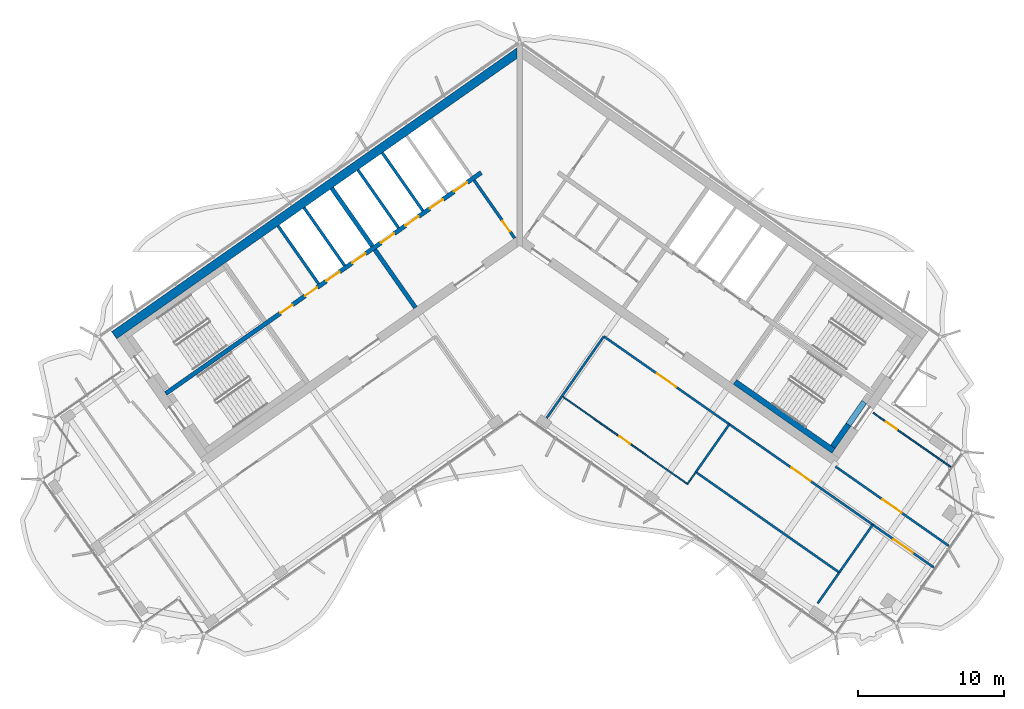
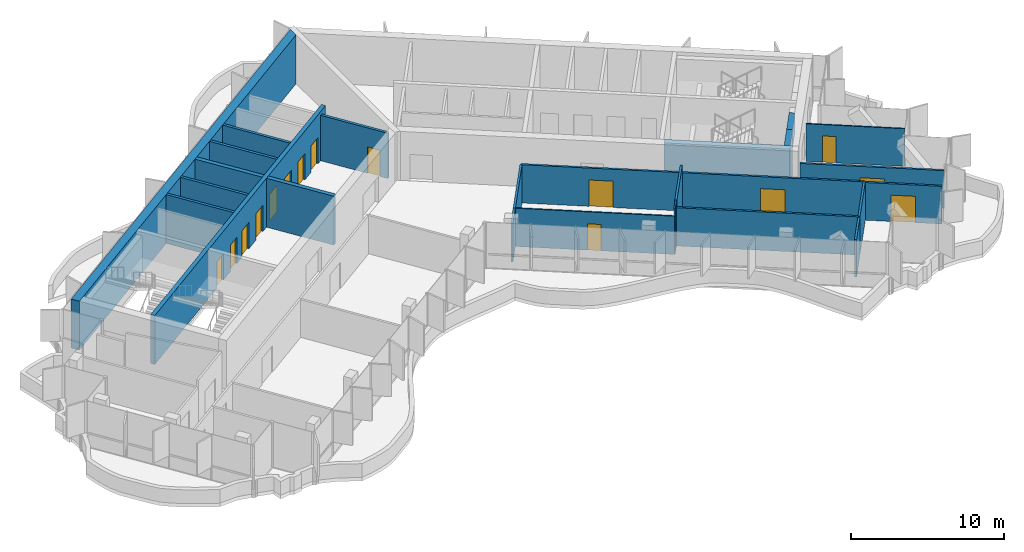
# One storey, part 10 of 18: 25 walls, 15 doors, 15 openings.
"""IFC4 building model written with IfcOpenShell, lengths in metres."""

from ifc_helpers import new_model, si_unit, direction, frame, frame_2d, origin, place, context, subcontext, project, spatial, polyline, rectangle, outline, extrude, material, layer, layer_set, type_object, element, fill, save


model = new_model("IFC4")

# Units and contexts
model_context = context("Model", 3, precision=1e-05, world=origin(), true_north=direction((0.0, 1.0)))
body_context = subcontext(model_context, "Body", "Model", "MODEL_VIEW")
ifc_project = project(units=[si_unit("LENGTHUNIT", "METRE"), si_unit("AREAUNIT", "SQUARE_METRE"), si_unit("VOLUMEUNIT", "CUBIC_METRE"), si_unit("PLANEANGLEUNIT", "RADIAN"), si_unit("MASSUNIT", "GRAM", prefix="KILO")], contexts=[model_context])

# Site, building, storey
site_placement = place(None, origin())
site = spatial("IfcSite", under=ifc_project, at=site_placement, CompositionType="ELEMENT")
building_placement = place(site_placement, origin())
building = spatial("IfcBuilding", under=site, at=building_placement, Name="Tel Ilan Convention Tower", CompositionType="ELEMENT")
storey_placement = place(building_placement, frame((0.0, 0.0, 268.300048828125)))
storey = spatial("IfcBuildingStorey", under=building, at=storey_placement, Name="L63", CompositionType="ELEMENT", Elevation=268.300048828125)

# Wall, opening, door
ifc_material_1 = material(Name="Concrete C30/37", Category="concrete")
ifc_layer_1 = layer(ifc_material_1, 0.199951171875)
ifc_layer_set_1 = layer_set([ifc_layer_1], Name="Core Service Room Wall 200 mm C30/37")
wall_type_1 = type_object("IfcWallType", Name="Core Service Room Wall 200 mm C30/37", PredefinedType="SOLIDWALL", material=ifc_layer_set_1)
wall_1_placement = place(storey_placement, frame((-0.343994140625, -0.729248046875, 0.0), z_axis=(0.0, 0.0, 1.0), x_axis=(-0.573560315113, 0.819163332265, 0.0)))
wall_1 = element("IfcWall", 1, at=wall_1_placement, inside=storey, type_object=wall_type_1, Name="L63 core wall apex-W", PredefinedType="SOLIDWALL", context=body_context, shape_type="SweptSolid", body=[
    extrude(rectangle(XDim=4.849853515625, YDim=0.199951171875, at=frame_2d((2.4248046875, 0.0))), origin(), (0.0, 0.0, 1.0), 3.619873046875),
])
opening_1_placement = place(wall_1_placement, frame((0.550048828125, 0.0, 0.0)))
opening_1 = element("IfcOpeningElement", 2, at=opening_1_placement, cuts=wall_1, Name="Opening CD4802", PredefinedType="OPENING", context=body_context, shape_type="SweptSolid", body=[
    extrude(rectangle(XDim=0.89990234375, YDim=2.10009765625, at=frame_2d((0.449951171875, 1.050048828125))), frame((0.0, 0.10986328125, 0.0), z_axis=(0.0, -1.0, 0.0), x_axis=(1.0, 0.0, 0.0)), (0.0, 0.0, 1.0), 0.219970703125),
])
ifc_material_2 = material(Name="Galvanised Steel Door Leaf", Category="steel")
door_type_1 = type_object("IfcDoorType", Name="Service Room Door 900 x 2100 FD60", OperationType="NOTDEFINED", PredefinedType="DOOR", material=ifc_material_2)
door_1_placement = place(opening_1_placement, origin())
door_1 = element("IfcDoor", 3, at=door_1_placement, inside=storey, type_object=door_type_1, Name="Telecom Room door", OperationType="SINGLE_SWING_RIGHT", OverallHeight=2.10009765625, OverallWidth=0.89990234375, PredefinedType="DOOR", context=body_context, shape_type="SweptSolid", body=[
    extrude(rectangle(XDim=0.89990234375, YDim=2.10009765625, at=frame_2d((0.449951171875, 1.050048828125))), frame((0.0, 0.02490234375, 0.0), z_axis=(0.0, -1.0, 0.0), x_axis=(1.0, 0.0, 0.0)), (0.0, 0.0, 1.0), 0.050048828125),
])
fill(opening_1, door_1)

# Walls
ifc_material_3 = material(Name="Concrete C40/50", Category="concrete")
ifc_layer_2 = layer(ifc_material_3, 0.300048828125)
ifc_layer_set_2 = layer_set([ifc_layer_2], Name="Core Shear Wall 300 mm C40/50")
wall_type_2 = type_object("IfcWallType", Name="Core Shear Wall 300 mm C40/50", PredefinedType="SHEAR", material=ifc_layer_set_2)
wall_2_placement = place(storey_placement, frame((-7.142822265625, -5.48974609375, 0.0), z_axis=(0.0, 0.0, 1.0), x_axis=(-0.573617744349, 0.819123118565, 0.0)))
element("IfcWall", 4, at=wall_2_placement, inside=storey, type_object=wall_type_2, Name="L63 core wall W-cross1-1", PredefinedType="SHEAR", context=body_context, shape_type="SweptSolid", body=[
    extrude(outline(polyline([(4.85009765625, 0.14990234375), (0.0, 0.150146484375), (0.0, -0.14990234375), (4.85009765625, -0.150146484375), (4.85009765625, 0.14990234375)])), origin(), (0.0, 0.0, 1.0), 3.89990234375),
])
wall_3_placement = place(storey_placement, frame((-10.096923828125, -1.271240234375, 0.0), z_axis=(0.0, 0.0, 1.0), x_axis=(-0.573560315113, 0.819163332265, 0.0)))
element("IfcWall", 5, at=wall_3_placement, inside=storey, type_object=wall_type_2, Name="L63 core wall W-cross1-2", PredefinedType="SHEAR", context=body_context, shape_type="SweptSolid", body=[
    extrude(outline(polyline([(4.849853515625, -0.14990234375), (4.849853515625, 0.150146484375), (0.0, 0.14990234375), (0.0, -0.150146484375), (4.849853515625, -0.14990234375)])), origin(), (0.0, 0.0, 1.0), 3.89990234375),
])

# Wall, openings, doors
wall_4_placement = place(storey_placement, frame((-2.638427734375, 3.76806640625, 0.0), z_axis=(0.0, 0.0, 1.0), x_axis=(-0.819155014212, -0.573572194837, 0.0)))
wall_4 = element("IfcWall", 6, at=wall_4_placement, inside=storey, type_object=wall_type_2, Name="L63 core wall W-spine", PredefinedType="SHEAR", context=body_context, shape_type="SweptSolid", body=[
    extrude(outline(polyline([(26.39990234375, 0.150146484375), (0.0, 0.14990234375), (0.0, -0.150146484375), (26.39990234375, -0.14990234375), (26.39990234375, 0.150146484375)])), origin(), (0.0, 0.0, 1.0), 3.89990234375),
])
opening_2_placement = place(wall_4_placement, frame((1.168701171875, 0.0, 0.0)))
opening_2 = element("IfcOpeningElement", 7, at=opening_2_placement, cuts=wall_4, Name="Opening LD4804", PredefinedType="OPENING", context=body_context, shape_type="SweptSolid", body=[
    extrude(rectangle(XDim=1.10009765625, YDim=2.10009765625, at=frame_2d((0.550048828125, 1.050048828125))), frame((0.0, 0.159912109375, 0.0), z_axis=(0.0, -1.0, 0.0), x_axis=(1.0, 0.0, 0.0)), (0.0, 0.0, 1.0), 0.320068359375),
])
opening_3_placement = place(wall_4_placement, frame((3.206298828125, 0.0, 0.0)))
opening_3 = element("IfcOpeningElement", 8, at=opening_3_placement, cuts=wall_4, Name="Opening LD4805", PredefinedType="OPENING", context=body_context, shape_type="SweptSolid", body=[
    extrude(rectangle(XDim=1.10009765625, YDim=2.10009765625, at=frame_2d((0.550048828125, 1.050048828125))), frame((0.0, 0.159912109375, 0.0), z_axis=(0.0, -1.0, 0.0), x_axis=(1.0, 0.0, 0.0)), (0.0, 0.0, 1.0), 0.320068359375),
])
opening_4_placement = place(wall_4_placement, frame((5.24365234375, 0.0, 0.0)))
opening_4 = element("IfcOpeningElement", 9, at=opening_4_placement, cuts=wall_4, Name="Opening LD4806", PredefinedType="OPENING", context=body_context, shape_type="SweptSolid", body=[
    extrude(rectangle(XDim=1.10009765625, YDim=2.10009765625, at=frame_2d((0.550048828125, 1.050048828125))), frame((0.0, 0.159912109375, 0.0), z_axis=(0.0, -1.0, 0.0), x_axis=(1.0, 0.0, 0.0)), (0.0, 0.0, 1.0), 0.320068359375),
])
opening_5_placement = place(wall_4_placement, frame((7.28125, 0.0, 0.0)))
opening_5 = element("IfcOpeningElement", 10, at=opening_5_placement, cuts=wall_4, Name="Opening LD4807", PredefinedType="OPENING", context=body_context, shape_type="SweptSolid", body=[
    extrude(rectangle(XDim=1.10009765625, YDim=2.10009765625, at=frame_2d((0.550048828125, 1.050048828125))), frame((0.0, 0.159912109375, 0.0), z_axis=(0.0, -1.0, 0.0), x_axis=(1.0, 0.0, 0.0)), (0.0, 0.0, 1.0), 0.320068359375),
])
opening_6_placement = place(wall_4_placement, frame((9.6875, 0.0, 0.0)))
opening_6 = element("IfcOpeningElement", 11, at=opening_6_placement, cuts=wall_4, Name="Opening LD4808", PredefinedType="OPENING", context=body_context, shape_type="SweptSolid", body=[
    extrude(rectangle(XDim=1.10009765625, YDim=2.10009765625, at=frame_2d((0.550048828125, 1.050048828125))), frame((0.0, 0.159912109375, 0.0), z_axis=(0.0, -1.0, 0.0), x_axis=(1.0, 0.0, 0.0)), (0.0, 0.0, 1.0), 0.320068359375),
])
opening_7_placement = place(wall_4_placement, frame((11.862548828125, 0.0, 0.0)))
opening_7 = element("IfcOpeningElement", 12, at=opening_7_placement, cuts=wall_4, Name="Opening LD4809", PredefinedType="OPENING", context=body_context, shape_type="SweptSolid", body=[
    extrude(rectangle(XDim=1.10009765625, YDim=2.10009765625, at=frame_2d((0.550048828125, 1.050048828125))), frame((0.0, 0.159912109375, 0.0), z_axis=(0.0, -1.0, 0.0), x_axis=(1.0, 0.0, 0.0)), (0.0, 0.0, 1.0), 0.320068359375),
])
opening_8_placement = place(wall_4_placement, frame((13.722412109375, 0.0, 0.0)))
opening_8 = element("IfcOpeningElement", 13, at=opening_8_placement, cuts=wall_4, Name="Opening CD4809", PredefinedType="OPENING", context=body_context, shape_type="SweptSolid", body=[
    extrude(rectangle(XDim=1.0, YDim=2.10009765625, at=frame_2d((0.5, 1.050048828125))), frame((0.0, 0.159912109375, 0.0), z_axis=(0.0, -1.0, 0.0), x_axis=(1.0, 0.0, 0.0)), (0.0, 0.0, 1.0), 0.320068359375),
])
opening_9_placement = place(wall_4_placement, frame((15.797607421875, 0.0, 0.0)))
opening_9 = element("IfcOpeningElement", 14, at=opening_9_placement, cuts=wall_4, Name="Opening CD4810", PredefinedType="OPENING", context=body_context, shape_type="SweptSolid", body=[
    extrude(rectangle(XDim=1.0, YDim=2.10009765625, at=frame_2d((0.5, 1.050048828125))), frame((0.0, 0.159912109375, 0.0), z_axis=(0.0, -1.0, 0.0), x_axis=(1.0, 0.0, 0.0)), (0.0, 0.0, 1.0), 0.320068359375),
])
ifc_material_4 = material(Name="Stainless Steel Sliding Door Leaf", Category="steel")
door_type_2 = type_object("IfcDoorType", Name="Lift Landing Door 1100 x 2100 FD120", OperationType="NOTDEFINED", PredefinedType="DOOR", material=ifc_material_4)
door_2_placement = place(opening_2_placement, origin())
door_2 = element("IfcDoor", 15, at=door_2_placement, inside=storey, type_object=door_type_2, Name="Lift HR1 landing door", OperationType="SLIDING_TO_LEFT", OverallHeight=2.10009765625, OverallWidth=1.10009765625, PredefinedType="DOOR", context=body_context, shape_type="SweptSolid", body=[
    extrude(rectangle(XDim=1.10009765625, YDim=2.10009765625, at=frame_2d((0.550048828125, 1.050048828125))), frame((0.0, 0.02490234375, 0.0), z_axis=(0.0, -1.0, 0.0), x_axis=(1.0, 0.0, 0.0)), (0.0, 0.0, 1.0), 0.050048828125),
])
fill(opening_2, door_2)
door_3_placement = place(opening_3_placement, origin())
door_3 = element("IfcDoor", 16, at=door_3_placement, inside=storey, type_object=door_type_2, Name="Lift HR2 landing door", OperationType="SLIDING_TO_RIGHT", OverallHeight=2.10009765625, OverallWidth=1.10009765625, PredefinedType="DOOR", context=body_context, shape_type="SweptSolid", body=[
    extrude(rectangle(XDim=1.10009765625, YDim=2.10009765625, at=frame_2d((0.550048828125, 1.050048828125))), frame((0.0, 0.02490234375, 0.0), z_axis=(0.0, -1.0, 0.0), x_axis=(1.0, 0.0, 0.0)), (0.0, 0.0, 1.0), 0.050048828125),
])
fill(opening_3, door_3)
door_4_placement = place(opening_4_placement, origin())
door_4 = element("IfcDoor", 17, at=door_4_placement, inside=storey, type_object=door_type_2, Name="Lift HR3 landing door", OperationType="SLIDING_TO_LEFT", OverallHeight=2.10009765625, OverallWidth=1.10009765625, PredefinedType="DOOR", context=body_context, shape_type="SweptSolid", body=[
    extrude(rectangle(XDim=1.10009765625, YDim=2.10009765625, at=frame_2d((0.550048828125, 1.050048828125))), frame((0.0, 0.02490234375, 0.0), z_axis=(0.0, -1.0, 0.0), x_axis=(1.0, 0.0, 0.0)), (0.0, 0.0, 1.0), 0.050048828125),
])
fill(opening_4, door_4)
door_5_placement = place(opening_5_placement, origin())
door_5 = element("IfcDoor", 18, at=door_5_placement, inside=storey, type_object=door_type_2, Name="Lift HR4 landing door", OperationType="SLIDING_TO_RIGHT", OverallHeight=2.10009765625, OverallWidth=1.10009765625, PredefinedType="DOOR", context=body_context, shape_type="SweptSolid", body=[
    extrude(rectangle(XDim=1.10009765625, YDim=2.10009765625, at=frame_2d((0.550048828125, 1.050048828125))), frame((0.0, 0.02490234375, 0.0), z_axis=(0.0, -1.0, 0.0), x_axis=(1.0, 0.0, 0.0)), (0.0, 0.0, 1.0), 0.050048828125),
])
fill(opening_5, door_5)
door_6_placement = place(opening_6_placement, origin())
door_6 = element("IfcDoor", 19, at=door_6_placement, inside=storey, type_object=door_type_2, Name="Lift HR5 landing door", OperationType="SLIDING_TO_LEFT", OverallHeight=2.10009765625, OverallWidth=1.10009765625, PredefinedType="DOOR", context=body_context, shape_type="SweptSolid", body=[
    extrude(rectangle(XDim=1.10009765625, YDim=2.10009765625, at=frame_2d((0.550048828125, 1.050048828125))), frame((0.0, 0.02490234375, 0.0), z_axis=(0.0, -1.0, 0.0), x_axis=(1.0, 0.0, 0.0)), (0.0, 0.0, 1.0), 0.050048828125),
])
fill(opening_6, door_6)
door_7_placement = place(opening_7_placement, origin())
door_7 = element("IfcDoor", 20, at=door_7_placement, inside=storey, type_object=door_type_2, Name="Lift HR6 landing door", OperationType="SLIDING_TO_RIGHT", OverallHeight=2.10009765625, OverallWidth=1.10009765625, PredefinedType="DOOR", context=body_context, shape_type="SweptSolid", body=[
    extrude(rectangle(XDim=1.10009765625, YDim=2.10009765625, at=frame_2d((0.550048828125, 1.050048828125))), frame((0.0, 0.02490234375, 0.0), z_axis=(0.0, -1.0, 0.0), x_axis=(1.0, 0.0, 0.0)), (0.0, 0.0, 1.0), 0.050048828125),
])
fill(opening_7, door_7)
ifc_material_5 = material(Name="Galvanised Steel Door Leaf", Category="steel")
door_type_3 = type_object("IfcDoorType", Name="Service Room Door 1000 x 2100 FD60", OperationType="NOTDEFINED", PredefinedType="DOOR", material=ifc_material_5)
door_8_placement = place(opening_8_placement, origin())
door_8 = element("IfcDoor", 21, at=door_8_placement, inside=storey, type_object=door_type_3, Name="Plant Room door", OperationType="SINGLE_SWING_RIGHT", OverallHeight=2.10009765625, OverallWidth=1.0, PredefinedType="DOOR", context=body_context, shape_type="SweptSolid", body=[
    extrude(rectangle(XDim=1.0, YDim=2.10009765625, at=frame_2d((0.5, 1.050048828125))), frame((0.0, 0.02490234375, 0.0), z_axis=(0.0, -1.0, 0.0), x_axis=(1.0, 0.0, 0.0)), (0.0, 0.0, 1.0), 0.050048828125),
])
fill(opening_8, door_8)
door_9_placement = place(opening_9_placement, origin())
door_9 = element("IfcDoor", 22, at=door_9_placement, inside=storey, type_object=door_type_3, Name="Plant Room door", OperationType="SINGLE_SWING_RIGHT", OverallHeight=2.10009765625, OverallWidth=1.0, PredefinedType="DOOR", context=body_context, shape_type="SweptSolid", body=[
    extrude(rectangle(XDim=1.0, YDim=2.10009765625, at=frame_2d((0.5, 1.050048828125))), frame((0.0, 0.02490234375, 0.0), z_axis=(0.0, -1.0, 0.0), x_axis=(1.0, 0.0, 0.0)), (0.0, 0.0, 1.0), 0.050048828125),
])
fill(opening_9, door_9)

# Wall
ifc_material_6 = material(Name="Concrete C40/50", Category="concrete")
ifc_layer_3 = layer(ifc_material_6, 0.60009765625)
ifc_layer_set_3 = layer_set([ifc_layer_3], Name="Core Shear Wall 600 mm C40/50")
wall_type_3 = type_object("IfcWallType", Name="Core Shear Wall 600 mm C40/50", PredefinedType="SHEAR", material=ifc_layer_set_3)
wall_5_placement = place(storey_placement, frame((-0.02783203125, 12.066162109375, 0.0), z_axis=(0.0, 0.0, 1.0), x_axis=(-0.819151382952, -0.573577380837, 0.0)))
element("IfcWall", 23, at=wall_5_placement, inside=storey, type_object=wall_type_3, Name="L63 core wall W-back", PredefinedType="SHEAR", context=body_context, shape_type="SweptSolid", body=[
    extrude(outline(polyline([(33.89794921875, 0.300048828125), (0.420166015625, 0.300048828125), (0.0, -0.300048828125), (33.898193359375, -0.300048828125), (33.89794921875, 0.300048828125)])), origin(), (0.0, 0.0, 1.0), 3.89990234375),
])

# Wall, opening, door
ifc_material_7 = material(Name="Plasterboard on Steel Studs", Category="steel")
ifc_layer_4 = layer(ifc_material_7, 0.14990234375)
ifc_layer_set_4 = layer_set([ifc_layer_4], Name="Fire-rated Partition 150 EI 60")
wall_type_4 = type_object("IfcWallType", Name="Fire-rated Partition 150 EI 60", PredefinedType="PARTITIONING", material=ifc_layer_set_4)
wall_6_placement = place(storey_placement, frame((21.641845703125, -16.37451171875, 0.0), z_axis=(0.0, 0.0, 1.0), x_axis=(0.819154480923, -0.573572956461, 0.0)))
wall_6 = element("IfcWall", 24, at=wall_6_placement, inside=storey, type_object=wall_type_4, Name="Partition 001", PredefinedType="PARTITIONING", context=body_context, shape_type="SweptSolid", body=[
    extrude(rectangle(XDim=9.47998046875, YDim=0.14990234375, at=frame_2d((4.739990234375, 0.0))), origin(), (0.0, 0.0, 1.0), 3.0),
])
opening_10_placement = place(wall_6_placement, frame((3.93994140625, 0.0, 0.0)))
opening_10 = element("IfcOpeningElement", 25, at=opening_10_placement, cuts=wall_6, Name="Opening L63-011", PredefinedType="OPENING", context=body_context, shape_type="SweptSolid", body=[
    extrude(rectangle(XDim=1.60009765625, YDim=2.10009765625, at=frame_2d((0.800048828125, 1.050048828125))), frame((0.0, 0.0849609375, 0.0), z_axis=(0.0, -1.0, 0.0), x_axis=(1.0, 0.0, 0.0)), (0.0, 0.0, 1.0), 0.169921875),
])
ifc_material_8 = material(Name="Timber Door Leaf in Steel Frame", Category="steel")
door_type_4 = type_object("IfcDoorType", Name="Tenant Suite Entrance Fire Door 1600x2100", OperationType="NOTDEFINED", PredefinedType="DOOR", material=ifc_material_8)
door_10_placement = place(opening_10_placement, origin())
door_10 = element("IfcDoor", 26, at=door_10_placement, inside=storey, type_object=door_type_4, Name="Door L63-011", OperationType="DOUBLE_DOOR_SINGLE_SWING", OverallHeight=2.10009765625, OverallWidth=1.60009765625, PredefinedType="DOOR", context=body_context, shape_type="SweptSolid", body=[
    extrude(rectangle(XDim=1.60009765625, YDim=2.10009765625, at=frame_2d((0.800048828125, 1.050048828125))), frame((0.0, 0.02490234375, 0.0), z_axis=(0.0, -1.0, 0.0), x_axis=(1.0, 0.0, 0.0)), (0.0, 0.0, 1.0), 0.050048828125),
])
fill(opening_10, door_10)

wall_7_placement = place(storey_placement, frame((14.369140625, -13.4794921875, 0.0), z_axis=(0.0, 0.0, 1.0), x_axis=(-0.819154371039, 0.573573113393, 0.0)))
wall_7 = element("IfcWall", 27, at=wall_7_placement, inside=storey, type_object=wall_type_4, Name="Partition 002", PredefinedType="PARTITIONING", context=body_context, shape_type="SweptSolid", body=[
    extrude(rectangle(XDim=10.501953125, YDim=0.14990234375, at=frame_2d((5.2509765625, 0.0))), origin(), (0.0, 0.0, 1.0), 3.050048828125),
])
opening_11_placement = place(wall_7_placement, frame((4.450927734375, 0.0, 0.0)))
opening_11 = element("IfcOpeningElement", 28, at=opening_11_placement, cuts=wall_7, Name="Opening L63-007", PredefinedType="OPENING", context=body_context, shape_type="SweptSolid", body=[
    extrude(rectangle(XDim=1.60009765625, YDim=2.10009765625, at=frame_2d((0.800048828125, 1.050048828125))), frame((0.0, 0.0849609375, 0.0), z_axis=(0.0, -1.0, 0.0), x_axis=(1.0, 0.0, 0.0)), (0.0, 0.0, 1.0), 0.169921875),
])
door_11_placement = place(opening_11_placement, origin())
door_11 = element("IfcDoor", 29, at=door_11_placement, inside=storey, type_object=door_type_4, Name="Door L63-007", OperationType="DOUBLE_DOOR_SINGLE_SWING", OverallHeight=2.10009765625, OverallWidth=1.60009765625, PredefinedType="DOOR", context=body_context, shape_type="SweptSolid", body=[
    extrude(rectangle(XDim=1.60009765625, YDim=2.10009765625, at=frame_2d((0.800048828125, 1.050048828125))), frame((0.0, 0.02490234375, 0.0), z_axis=(0.0, -1.0, 0.0), x_axis=(1.0, 0.0, 0.0)), (0.0, 0.0, 1.0), 0.050048828125),
])
fill(opening_11, door_11)

wall_8_placement = place(storey_placement, frame((24.198974609375, -20.3623046875, 0.0), z_axis=(0.0, 0.0, 1.0), x_axis=(-0.819164075089, 0.573559254204, 0.0)))
wall_8 = element("IfcWall", 30, at=wall_8_placement, inside=storey, type_object=wall_type_4, Name="Partition 003", PredefinedType="PARTITIONING", context=body_context, shape_type="SweptSolid", body=[
    extrude(rectangle(XDim=12.00390625, YDim=0.14990234375, at=frame_2d((6.001953125, 0.0))), origin(), (0.0, 0.0, 1.0), 3.050048828125),
])
opening_12_placement = place(wall_8_placement, frame((5.201904296875, 0.0, 0.0)))
opening_12 = element("IfcOpeningElement", 31, at=opening_12_placement, cuts=wall_8, Name="Opening L63-009", PredefinedType="OPENING", context=body_context, shape_type="SweptSolid", body=[
    extrude(rectangle(XDim=1.60009765625, YDim=2.10009765625, at=frame_2d((0.800048828125, 1.050048828125))), frame((0.0, 0.0849609375, 0.0), z_axis=(0.0, -1.0, 0.0), x_axis=(1.0, 0.0, 0.0)), (0.0, 0.0, 1.0), 0.169921875),
])
door_12_placement = place(opening_12_placement, origin())
door_12 = element("IfcDoor", 32, at=door_12_placement, inside=storey, type_object=door_type_4, Name="Door L63-009", OperationType="DOUBLE_DOOR_SINGLE_SWING", OverallHeight=2.10009765625, OverallWidth=1.60009765625, PredefinedType="DOOR", context=body_context, shape_type="SweptSolid", body=[
    extrude(rectangle(XDim=1.60009765625, YDim=2.10009765625, at=frame_2d((0.800048828125, 1.050048828125))), frame((0.0, 0.02490234375, 0.0), z_axis=(0.0, -1.0, 0.0), x_axis=(1.0, 0.0, 0.0)), (0.0, 0.0, 1.0), 0.050048828125),
])
fill(opening_12, door_12)

wall_9_placement = place(storey_placement, frame((28.375, -23.28662109375, 0.0), z_axis=(0.0, 0.0, 1.0), x_axis=(-0.819148735933, 0.573581161144, 0.0)))
wall_9 = element("IfcWall", 33, at=wall_9_placement, inside=storey, type_object=wall_type_4, Name="Partition 004", PredefinedType="PARTITIONING", context=body_context, shape_type="SweptSolid", body=[
    extrude(rectangle(XDim=5.102294921875, YDim=0.14990234375, at=frame_2d((2.55126953125, 0.0))), origin(), (0.0, 0.0, 1.0), 3.0),
])
opening_13_placement = place(wall_9_placement, frame((1.7509765625, 0.0, 0.0)))
opening_13 = element("IfcOpeningElement", 34, at=opening_13_placement, cuts=wall_9, Name="Opening L63-010", PredefinedType="OPENING", context=body_context, shape_type="SweptSolid", body=[
    extrude(rectangle(XDim=1.60009765625, YDim=2.10009765625, at=frame_2d((0.800048828125, 1.050048828125))), frame((0.0, 0.0849609375, 0.0), z_axis=(0.0, -1.0, 0.0), x_axis=(1.0, 0.0, 0.0)), (0.0, 0.0, 1.0), 0.169921875),
])
door_13_placement = place(opening_13_placement, origin())
door_13 = element("IfcDoor", 35, at=door_13_placement, inside=storey, type_object=door_type_4, Name="Door L63-010", OperationType="DOUBLE_DOOR_SINGLE_SWING", OverallHeight=2.10009765625, OverallWidth=1.60009765625, PredefinedType="DOOR", context=body_context, shape_type="SweptSolid", body=[
    extrude(rectangle(XDim=1.60009765625, YDim=2.10009765625, at=frame_2d((0.800048828125, 1.050048828125))), frame((0.0, 0.02490234375, 0.0), z_axis=(0.0, -1.0, 0.0), x_axis=(1.0, 0.0, 0.0)), (0.0, 0.0, 1.0), 0.050048828125),
])
fill(opening_13, door_13)

# Walls
wall_10_placement = place(storey_placement, frame((12.072509765625, -16.755859375, 0.0), z_axis=(0.0, 0.0, 1.0), x_axis=(0.819156404271, -0.573570209602, 0.0)))
element("IfcWall", 36, at=wall_10_placement, inside=storey, type_object=wall_type_4, Name="Partition 014", PredefinedType="PARTITIONING", context=body_context, shape_type="SweptSolid", body=[
    extrude(rectangle(XDim=12.0, YDim=0.14990234375, at=frame_2d((6.0, 0.0))), origin(), (0.0, 0.0, 1.0), 3.050048828125),
])
wall_11_placement = place(storey_placement, frame((21.90234375, -23.638671875, 0.0), z_axis=(0.0, 0.0, 1.0), x_axis=(-0.573601610628, -0.819134416494, 0.0)))
element("IfcWall", 37, at=wall_11_placement, inside=storey, type_object=wall_type_4, Name="Partition 015", PredefinedType="PARTITIONING", context=body_context, shape_type="SweptSolid", body=[
    extrude(rectangle(XDim=2.588134765625, YDim=0.14990234375, at=frame_2d((1.2939453125, 0.0))), origin(), (0.0, 0.0, 1.0), 3.0),
])
wall_12_placement = place(storey_placement, frame((1.848876953125, -13.050537109375, 0.0), z_axis=(0.0, 0.0, 1.0), x_axis=(0.573623601139, 0.819119017125, 0.0)))
element("IfcWall", 38, at=wall_12_placement, inside=storey, type_object=wall_type_4, Name="Partition 016", PredefinedType="PARTITIONING", context=body_context, shape_type="SweptSolid", body=[
    extrude(rectangle(XDim=1.828857421875, YDim=0.14990234375, at=frame_2d((0.91455078125, 0.0))), origin(), (0.0, 0.0, 1.0), 3.050048828125),
])
wall_13_placement = place(storey_placement, frame((14.367431640625, -13.478515625, 0.0), z_axis=(0.0, 0.0, 1.0), x_axis=(-0.573589265117, -0.819143061341, 0.0)))
element("IfcWall", 39, at=wall_13_placement, inside=storey, type_object=wall_type_4, Name="Partition 017", PredefinedType="PARTITIONING", context=body_context, shape_type="SweptSolid", body=[
    extrude(rectangle(XDim=4.001953125, YDim=0.14990234375, at=frame_2d((2.0009765625, 0.0))), origin(), (0.0, 0.0, 1.0), 3.619873046875),
])
wall_14_placement = place(storey_placement, frame((2.8984375, -11.551513671875, 0.0), z_axis=(0.0, 0.0, 1.0), x_axis=(0.573586866468, 0.819144740944, 0.0)))
element("IfcWall", 40, at=wall_14_placement, inside=storey, type_object=wall_type_4, Name="Partition 018", PredefinedType="PARTITIONING", context=body_context, shape_type="SweptSolid", body=[
    extrude(rectangle(XDim=5.0, YDim=0.14990234375, at=frame_2d((2.5, 0.0))), origin(), (0.0, 0.0, 1.0), 3.050048828125),
])
wall_15_placement = place(storey_placement, frame((24.197265625, -20.361328125, 0.0), z_axis=(0.0, 0.0, 1.0), x_axis=(-0.573556557423, -0.819165963305, 0.0)))
element("IfcWall", 41, at=wall_15_placement, inside=storey, type_object=wall_type_4, Name="Partition 019", PredefinedType="PARTITIONING", context=body_context, shape_type="SweptSolid", body=[
    extrude(rectangle(XDim=4.0, YDim=0.14990234375, at=frame_2d((2.0, 0.0))), origin(), (0.0, 0.0, 1.0), 3.050048828125),
])
ifc_material_9 = material(Name="Concrete C30/37", Category="concrete")
ifc_layer_5 = layer(ifc_material_9, 0.199951171875)
ifc_layer_set_5 = layer_set([ifc_layer_5], Name="Lift Shaft Wall 200 mm C30/37")
wall_type_5 = type_object("IfcWallType", Name="Lift Shaft Wall 200 mm C30/37", PredefinedType="SOLIDWALL", material=ifc_layer_set_5)
wall_16_placement = place(storey_placement, frame((-6.635986328125, 1.152099609375, 0.0), z_axis=(0.0, 0.0, 1.0), x_axis=(-0.573560315113, 0.819163332265, 0.0)))
element("IfcWall", 42, at=wall_16_placement, inside=storey, type_object=wall_type_5, Name="L63 core wall bank-W1-p1", PredefinedType="SOLIDWALL", context=body_context, shape_type="SweptSolid", body=[
    extrude(rectangle(XDim=4.849853515625, YDim=0.199951171875, at=frame_2d((2.4248046875, 0.0))), origin(), (0.0, 0.0, 1.0), 3.89990234375),
])
wall_17_placement = place(storey_placement, frame((-8.304931640625, -0.0166015625, 0.0), z_axis=(0.0, 0.0, 1.0), x_axis=(-0.573594092424, 0.81913968109, 0.0)))
element("IfcWall", 43, at=wall_17_placement, inside=storey, type_object=wall_type_5, Name="L63 core wall bank-W1-p2", PredefinedType="SOLIDWALL", context=body_context, shape_type="SweptSolid", body=[
    extrude(rectangle(XDim=4.85009765625, YDim=0.199951171875, at=frame_2d((2.425048828125, 0.0))), origin(), (0.0, 0.0, 1.0), 3.89990234375),
])
wall_18_placement = place(storey_placement, frame((-12.00146484375, -2.604736328125, 0.0), z_axis=(0.0, 0.0, 1.0), x_axis=(-0.573560315113, 0.819163332265, 0.0)))
element("IfcWall", 44, at=wall_18_placement, inside=storey, type_object=wall_type_5, Name="L63 core wall bank-W2-p0", PredefinedType="SOLIDWALL", context=body_context, shape_type="SweptSolid", body=[
    extrude(rectangle(XDim=4.849853515625, YDim=0.199951171875, at=frame_2d((2.4248046875, 0.0))), origin(), (0.0, 0.0, 1.0), 3.89990234375),
])
wall_19_placement = place(storey_placement, frame((-13.782958984375, -3.852294921875, 0.0), z_axis=(0.0, 0.0, 1.0), x_axis=(-0.573594092424, 0.81913968109, 0.0)))
element("IfcWall", 45, at=wall_19_placement, inside=storey, type_object=wall_type_5, Name="L63 core wall bank-W2-p1", PredefinedType="SOLIDWALL", context=body_context, shape_type="SweptSolid", body=[
    extrude(rectangle(XDim=4.85009765625, YDim=0.199951171875, at=frame_2d((2.425048828125, 0.0))), origin(), (0.0, 0.0, 1.0), 3.89990234375),
])

# Wall, opening, door
ifc_material_10 = material(Name="Plasterboard on Steel Studs", Category="steel")
ifc_layer_6 = layer(ifc_material_10, 0.10009765625)
ifc_layer_set_6 = layer_set([ifc_layer_6], Name="Plasterboard Partition 100")
wall_type_6 = type_object("IfcWallType", Name="Plasterboard Partition 100", PredefinedType="PARTITIONING", material=ifc_layer_set_6)
wall_20_placement = place(storey_placement, frame((24.223388671875, -12.6875, 0.0), z_axis=(0.0, 0.0, 1.0), x_axis=(0.819150491754, -0.573578653595, 0.0)))
wall_20 = element("IfcWall", 46, at=wall_20_placement, inside=storey, type_object=wall_type_6, Name="Partition 011", PredefinedType="PARTITIONING", context=body_context, shape_type="SweptSolid", body=[
    extrude(rectangle(XDim=6.47998046875, YDim=0.10009765625, at=frame_2d((3.239990234375, 0.0))), origin(), (0.0, 0.0, 1.0), 3.0),
])
opening_14_placement = place(wall_20_placement, frame((1.090087890625, 0.0, 0.0)))
opening_14 = element("IfcOpeningElement", 47, at=opening_14_placement, cuts=wall_20, Name="Opening L63-012", PredefinedType="OPENING", context=body_context, shape_type="SweptSolid", body=[
    extrude(rectangle(XDim=0.89990234375, YDim=2.10009765625, at=frame_2d((0.449951171875, 1.050048828125))), frame((0.0, 0.06005859375, 0.0), z_axis=(0.0, -1.0, 0.0), x_axis=(1.0, 0.0, 0.0)), (0.0, 0.0, 1.0), 0.1201171875),
])
ifc_material_11 = material(Name="Timber Door Leaf in Steel Frame", Category="steel")
door_type_5 = type_object("IfcDoorType", Name="Room Timber Door 900x2100", OperationType="NOTDEFINED", PredefinedType="DOOR", material=ifc_material_11)
door_14_placement = place(opening_14_placement, origin())
door_14 = element("IfcDoor", 48, at=door_14_placement, inside=storey, type_object=door_type_5, Name="Door L63-012", OperationType="SINGLE_SWING_LEFT", OverallHeight=2.10009765625, OverallWidth=0.89990234375, PredefinedType="DOOR", context=body_context, shape_type="SweptSolid", body=[
    extrude(rectangle(XDim=0.89990234375, YDim=2.10009765625, at=frame_2d((0.449951171875, 1.050048828125))), frame((0.0, 0.02490234375, 0.0), z_axis=(0.0, -1.0, 0.0), x_axis=(1.0, 0.0, 0.0)), (0.0, 0.0, 1.0), 0.050048828125),
])
fill(opening_14, door_14)

# Wall
wall_21_placement = place(storey_placement, frame((12.072509765625, -16.755859375, 0.0), z_axis=(0.0, 0.0, 1.0), x_axis=(-0.573544276158, -0.819174562158, 0.0)))
element("IfcWall", 49, at=wall_21_placement, inside=storey, type_object=wall_type_6, Name="Partition 012", PredefinedType="PARTITIONING", context=body_context, shape_type="SweptSolid", body=[
    extrude(rectangle(XDim=1.0, YDim=0.10009765625, at=frame_2d((0.5, 0.0))), origin(), (0.0, 0.0, 1.0), 3.619873046875),
])

# Wall, opening, door
wall_22_placement = place(storey_placement, frame((11.4990234375, -17.574951171875, 0.0), z_axis=(0.0, 0.0, 1.0), x_axis=(-0.819155448096, 0.573571575181, 0.0)))
wall_22 = element("IfcWall", 50, at=wall_22_placement, inside=storey, type_object=wall_type_6, Name="Partition 013", PredefinedType="PARTITIONING", context=body_context, shape_type="SweptSolid", body=[
    extrude(rectangle(XDim=10.5, YDim=0.10009765625, at=frame_2d((5.25, 0.0))), origin(), (0.0, 0.0, 1.0), 3.050048828125),
])
opening_15_placement = place(wall_22_placement, frame((4.800048828125, 0.0, 0.0)))
opening_15 = element("IfcOpeningElement", 51, at=opening_15_placement, cuts=wall_22, Name="Opening L63-008", PredefinedType="OPENING", context=body_context, shape_type="SweptSolid", body=[
    extrude(rectangle(XDim=0.89990234375, YDim=2.10009765625, at=frame_2d((0.449951171875, 1.050048828125))), frame((0.0, 0.06005859375, 0.0), z_axis=(0.0, -1.0, 0.0), x_axis=(1.0, 0.0, 0.0)), (0.0, 0.0, 1.0), 0.1201171875),
])
door_15_placement = place(opening_15_placement, origin())
door_15 = element("IfcDoor", 52, at=door_15_placement, inside=storey, type_object=door_type_5, Name="Door L63-008", OperationType="SINGLE_SWING_LEFT", OverallHeight=2.10009765625, OverallWidth=0.89990234375, PredefinedType="DOOR", context=body_context, shape_type="SweptSolid", body=[
    extrude(rectangle(XDim=0.89990234375, YDim=2.10009765625, at=frame_2d((0.449951171875, 1.050048828125))), frame((0.0, 0.02490234375, 0.0), z_axis=(0.0, -1.0, 0.0), x_axis=(1.0, 0.0, 0.0)), (0.0, 0.0, 1.0), 0.050048828125),
])
fill(opening_15, door_15)

# Walls
ifc_material_12 = material(Name="Concrete C30/37", Category="concrete")
ifc_layer_7 = layer(ifc_material_12, 0.39990234375)
ifc_layer_set_7 = layer_set([ifc_layer_7], Name="Stair and Shaft Lining Wall 400 mm C30/37")
wall_type_7 = type_object("IfcWallType", Name="Stair and Shaft Lining Wall 400 mm C30/37", PredefinedType="SOLIDWALL", material=ifc_layer_set_7)
wall_23_placement = place(storey_placement, frame((14.7529296875, -10.57421875, 0.0), z_axis=(0.0, 0.0, 1.0), x_axis=(0.819158229677, -0.573567602601, 0.0)))
element("IfcWall", 53, at=wall_23_placement, inside=storey, type_object=wall_type_7, Name="L63 core wall lining-S4-t0", PredefinedType="SOLIDWALL", context=body_context, shape_type="SweptSolid", body=[
    extrude(rectangle(XDim=8.25, YDim=0.39990234375, at=frame_2d((4.125, 0.0))), origin(), (0.0, 0.0, 1.0), 3.619873046875),
])
wall_24_placement = place(storey_placement, frame((21.4619140625, -15.027587890625, 0.0), z_axis=(0.0, 0.0, 1.0), x_axis=(0.573559770908, 0.819163713305, 0.0)))
element("IfcWall", 54, at=wall_24_placement, inside=storey, type_object=wall_type_7, Name="L63 core wall lining-S4-u1-0", PredefinedType="SOLIDWALL", context=body_context, shape_type="SweptSolid", body=[
    extrude(rectangle(XDim=1.849853515625, YDim=0.39990234375, at=frame_2d((0.9248046875, 0.0))), origin(), (0.0, 0.0, 1.0), 3.619873046875),
])
wall_25_placement = place(storey_placement, frame((22.52294921875, -13.51220703125, 2.14990234375), z_axis=(0.0, 0.0, 1.0), x_axis=(0.573591692345, 0.819141361715, 0.0)))
element("IfcWall", 55, at=wall_25_placement, inside=storey, type_object=wall_type_7, Name="L63 core wall lining-S4-u1-lintel", PredefinedType="SOLIDWALL", context=body_context, shape_type="SweptSolid", body=[
    extrude(rectangle(XDim=1.900146484375, YDim=0.39990234375, at=frame_2d((0.9501953125, 0.0))), origin(), (0.0, 0.0, 1.0), 1.469970703125),
])

save(model, "model.ifc")
